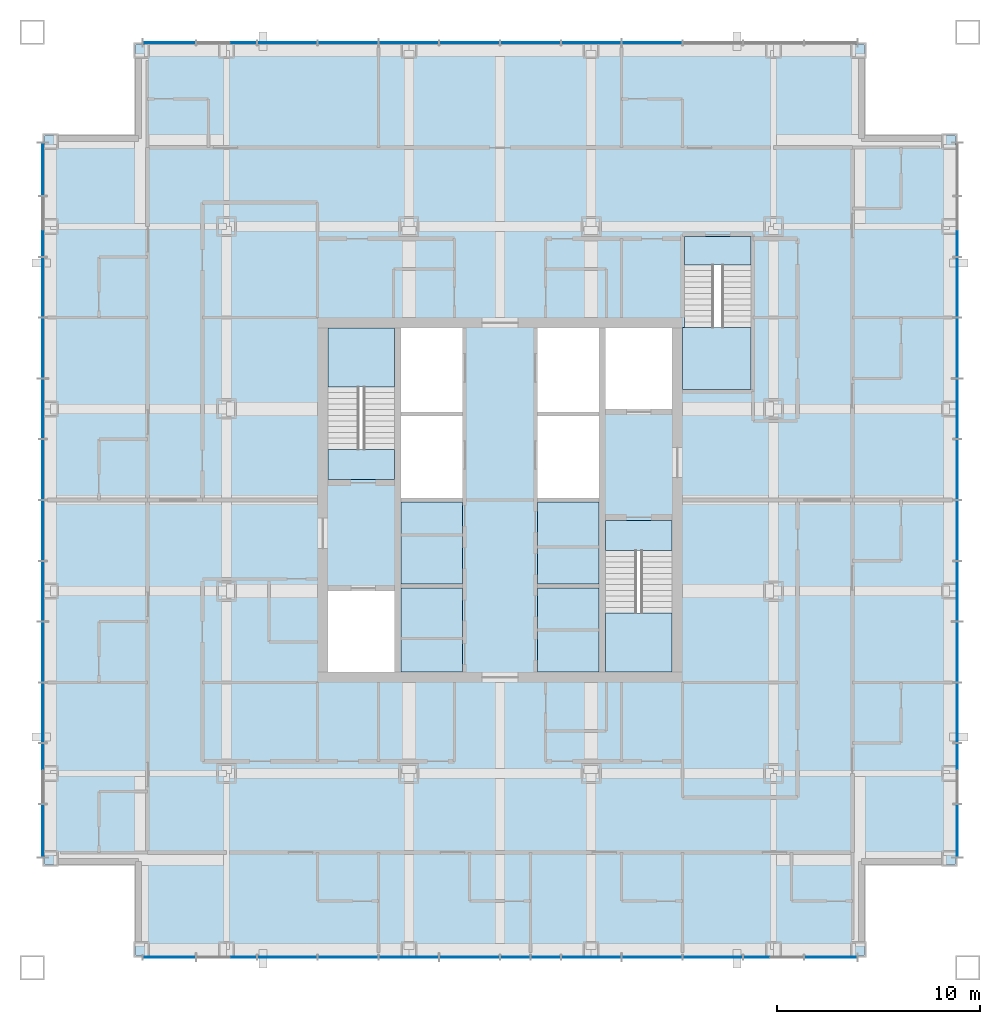
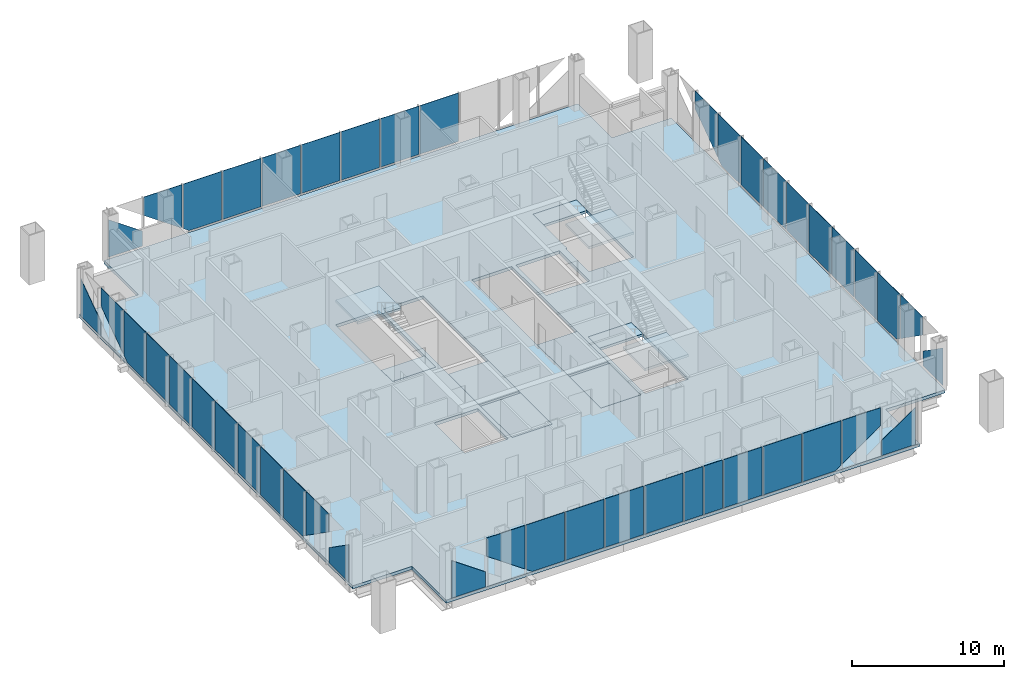
# One storey, part 5 of 11: 45 plates, 11 slabs, 7 elements without a shape of their own.
"""IFC4 building model written with IfcOpenShell, lengths in metres."""

from ifc_helpers import new_model, si_unit, direction, frame, origin, origin_2d, place, context, subcontext, project, spatial, polyline, rectangle, outline, extrude, material, layer, layer_set, type_object, element, aggregate, save


model = new_model("IFC4")

# Units and contexts
model_context = context("Model", 3, precision=1e-05, world=origin(), true_north=direction((0.0, 1.0)))
body_context = subcontext(model_context, "Body", "Model", "MODEL_VIEW")
ifc_project = project(units=[si_unit("LENGTHUNIT", "METRE"), si_unit("AREAUNIT", "SQUARE_METRE"), si_unit("VOLUMEUNIT", "CUBIC_METRE"), si_unit("PLANEANGLEUNIT", "RADIAN"), si_unit("MASSUNIT", "GRAM", prefix="KILO")], contexts=[model_context])

# Site, building, storey
site_placement = place(None, origin())
site = spatial("IfcSite", under=ifc_project, at=site_placement, CompositionType="ELEMENT")
building_placement = place(site_placement, origin())
building = spatial("IfcBuilding", under=site, at=building_placement, Name="Malebo Sky Hospital", CompositionType="ELEMENT")
storey_placement = place(building_placement, frame((0.0, 0.0, 201.0)))
storey = spatial("IfcBuildingStorey", under=building, at=storey_placement, Name="L48", CompositionType="ELEMENT", Elevation=201.0)

# Slabs
ifc_material_1 = material(Name="Concrete C40/50", Category="concrete")
ifc_layer_1 = layer(ifc_material_1, 0.25)
ifc_layer_set_1 = layer_set([ifc_layer_1], Name="COMPOSITE FLOOR SLAB 250")
slab_type_1 = type_object("IfcSlabType", Name="COMPOSITE FLOOR SLAB 250", PredefinedType="FLOOR", material=ifc_layer_set_1)
slab_1_placement = place(storey_placement, frame((0.0, 0.0, -0.25)))
element("IfcSlab", 1, at=slab_1_placement, inside=storey, type_object=slab_type_1, Name="Floor slab L48", PredefinedType="FLOOR", context=body_context, shape_type="SweptSolid", body=[
    extrude(outline(polyline([(42.0, 84.5), (42.0, 80.0), (37.5, 80.0), (37.5, 44.0), (42.0, 44.0), (42.0, 39.5), (78.0, 39.5), (78.0, 44.0), (82.5, 44.0), (82.5, 80.0), (78.0, 80.0), (78.0, 84.5), (42.0, 84.5)]), holes=[polyline([(55.10009765625, 70.5), (58.14990234375, 70.5), (58.14990234375, 53.5), (55.10009765625, 53.5), (55.10009765625, 70.5)]), polyline([(64.89990234375, 70.5), (64.89990234375, 53.5), (61.85009765625, 53.5), (61.85009765625, 70.5), (64.89990234375, 70.5)]), polyline([(54.800048828125, 63.0), (51.5, 63.0), (51.5, 70.5), (54.800048828125, 70.5), (54.800048828125, 63.0)]), polyline([(51.5, 53.5), (51.5, 57.5), (54.800048828125, 57.5), (54.800048828125, 53.5), (51.5, 53.5)]), polyline([(65.199951171875, 61.0), (68.5, 61.0), (68.5, 53.5), (65.199951171875, 53.5), (65.199951171875, 61.0)]), polyline([(68.5, 70.5), (68.5, 66.5), (65.199951171875, 66.5), (65.199951171875, 70.5), (68.5, 70.5)]), polyline([(69.0, 67.449951171875), (69.0, 70.52001953125), (69.10009765625, 70.52001953125), (69.10009765625, 75.0), (72.39990234375, 75.0), (72.39990234375, 67.449951171875), (69.10009765625, 67.449951171875), (69.0, 67.449951171875)])]), origin(), (0.0, 0.0, 1.0), 0.25),
])
ifc_layer_2 = layer(ifc_material_1, 0.25)
ifc_layer_set_2 = layer_set([ifc_layer_2], Name="SHAFT INFILL SLAB 250")
slab_type_2 = type_object("IfcSlabType", Name="SHAFT INFILL SLAB 250", PredefinedType="FLOOR", material=ifc_layer_set_2)
slab_2_placement = place(storey_placement, frame((0.0, 0.0, -0.25)))
element("IfcSlab", 2, at=slab_2_placement, inside=storey, type_object=slab_type_2, Name="Shaft infill slab W1 L48", PredefinedType="FLOOR", context=body_context, shape_type="SweptSolid", body=[
    extrude(outline(polyline([(55.10009765625, 53.5), (58.14990234375, 53.5), (58.14990234375, 57.64990234375), (55.10009765625, 57.64990234375), (55.10009765625, 53.5)])), origin(), (0.0, 0.0, 1.0), 0.25),
])
slab_3_placement = place(storey_placement, frame((0.0, 0.0, -0.25)))
element("IfcSlab", 3, at=slab_3_placement, inside=storey, type_object=slab_type_2, Name="Shaft infill slab W2 L48", PredefinedType="FLOOR", context=body_context, shape_type="SweptSolid", body=[
    extrude(outline(polyline([(55.10009765625, 57.85009765625), (58.14990234375, 57.85009765625), (58.14990234375, 61.89990234375), (55.10009765625, 61.89990234375), (55.10009765625, 57.85009765625)])), origin(), (0.0, 0.0, 1.0), 0.25),
])
slab_4_placement = place(storey_placement, frame((0.0, 0.0, -0.25)))
element("IfcSlab", 4, at=slab_4_placement, inside=storey, type_object=slab_type_2, Name="Shaft infill slab E1 L48", PredefinedType="FLOOR", context=body_context, shape_type="SweptSolid", body=[
    extrude(outline(polyline([(61.85009765625, 53.5), (64.89990234375, 53.5), (64.89990234375, 57.64990234375), (61.85009765625, 57.64990234375), (61.85009765625, 53.5)])), origin(), (0.0, 0.0, 1.0), 0.25),
])
slab_5_placement = place(storey_placement, frame((0.0, 0.0, -0.25)))
element("IfcSlab", 5, at=slab_5_placement, inside=storey, type_object=slab_type_2, Name="Shaft infill slab E2 L48", PredefinedType="FLOOR", context=body_context, shape_type="SweptSolid", body=[
    extrude(outline(polyline([(61.85009765625, 57.85009765625), (64.89990234375, 57.85009765625), (64.89990234375, 61.89990234375), (61.85009765625, 61.89990234375), (61.85009765625, 57.85009765625)])), origin(), (0.0, 0.0, 1.0), 0.25),
])

# Stair, slabs
stair_type_1 = type_object("IfcStairType", Name="HALF-TURN STAIR 1500 R167", PredefinedType="HALF_TURN_STAIR", material=ifc_material_1)
stair_1_placement = place(storey_placement, origin())
stair_1 = element("IfcStair", 6, at=stair_1_placement, inside=storey, type_object=stair_type_1, Name="Stair S1 L48 type ST1", PredefinedType="HALF_TURN_STAIR")
ifc_layer_3 = layer(ifc_material_1, 0.199951171875)
ifc_layer_set_3 = layer_set([ifc_layer_3], Name="STAIR LANDING 200")
slab_type_3 = type_object("IfcSlabType", Name="STAIR LANDING 200", PredefinedType="LANDING", material=ifc_layer_set_3)
slab_6_placement = place(storey_placement, frame((0.0, 0.0, -0.199951171875)))
slab_6 = element("IfcSlab", 7, at=slab_6_placement, type_object=slab_type_3, Name="S1 landing 1", PredefinedType="LANDING", context=body_context, shape_type="SweptSolid", body=[
    extrude(outline(polyline([(51.5, 63.0), (54.800048828125, 63.0), (54.800048828125, 64.5), (51.5, 64.5), (51.5, 63.0)])), origin(), (0.0, 0.0, 1.0), 0.199951171875),
])
slab_7_placement = place(storey_placement, frame((0.0, 0.0, 1.800048828125)))
slab_7 = element("IfcSlab", 8, at=slab_7_placement, type_object=slab_type_3, Name="S1 landing 2", PredefinedType="LANDING", context=body_context, shape_type="SweptSolid", body=[
    extrude(outline(polyline([(51.5, 67.580078125), (54.800048828125, 67.580078125), (54.800048828125, 70.5), (51.5, 70.5), (51.5, 67.580078125)])), origin(), (0.0, 0.0, 1.0), 0.199951171875),
])
aggregate(stair_1, [slab_6, slab_7])

stair_2_placement = place(storey_placement, origin())
stair_2 = element("IfcStair", 9, at=stair_2_placement, inside=storey, type_object=stair_type_1, Name="Stair S2 L48 type ST1", PredefinedType="HALF_TURN_STAIR")
slab_8_placement = place(storey_placement, frame((0.0, 0.0, -0.199951171875)))
slab_8 = element("IfcSlab", 10, at=slab_8_placement, type_object=slab_type_3, Name="S2 landing 1", PredefinedType="LANDING", context=body_context, shape_type="SweptSolid", body=[
    extrude(outline(polyline([(65.199951171875, 59.5), (68.5, 59.5), (68.5, 61.0), (65.199951171875, 61.0), (65.199951171875, 59.5)])), origin(), (0.0, 0.0, 1.0), 0.199951171875),
])
slab_9_placement = place(storey_placement, frame((0.0, 0.0, 1.800048828125)))
slab_9 = element("IfcSlab", 11, at=slab_9_placement, type_object=slab_type_3, Name="S2 landing 2", PredefinedType="LANDING", context=body_context, shape_type="SweptSolid", body=[
    extrude(outline(polyline([(65.199951171875, 53.5), (68.5, 53.5), (68.5, 56.419921875), (65.199951171875, 56.419921875), (65.199951171875, 53.5)])), origin(), (0.0, 0.0, 1.0), 0.199951171875),
])
aggregate(stair_2, [slab_8, slab_9])

stair_type_2 = type_object("IfcStairType", Name="HALF-TURN STAIR 1400 R167", PredefinedType="HALF_TURN_STAIR", material=ifc_material_1)
stair_3_placement = place(storey_placement, origin())
stair_3 = element("IfcStair", 12, at=stair_3_placement, inside=storey, type_object=stair_type_2, Name="Stair S3 L48 type ST1B", PredefinedType="HALF_TURN_STAIR")
slab_10_placement = place(storey_placement, frame((0.0, 0.0, -0.199951171875)))
slab_10 = element("IfcSlab", 13, at=slab_10_placement, type_object=slab_type_3, Name="S3 landing 1", PredefinedType="LANDING", context=body_context, shape_type="SweptSolid", body=[
    extrude(outline(polyline([(69.10009765625, 73.60009765625), (72.39990234375, 73.60009765625), (72.39990234375, 75.0), (69.10009765625, 75.0), (69.10009765625, 73.60009765625)])), origin(), (0.0, 0.0, 1.0), 0.199951171875),
])
slab_11_placement = place(storey_placement, frame((0.0, 0.0, 1.800048828125)))
slab_11 = element("IfcSlab", 14, at=slab_11_placement, type_object=slab_type_3, Name="S3 landing 2", PredefinedType="LANDING", context=body_context, shape_type="SweptSolid", body=[
    extrude(outline(polyline([(69.0, 67.449951171875), (72.39990234375, 67.449951171875), (72.39990234375, 70.52001953125), (69.0, 70.52001953125), (69.0, 67.449951171875)])), origin(), (0.0, 0.0, 1.0), 0.199951171875),
])
aggregate(stair_3, [slab_10, slab_11])

# Curtain wall, plates
ifc_material_2 = material(Name="Anodised aluminium, natural silver", Category="aluminium")
ifc_layer_4 = layer(ifc_material_2, 0.25)
ifc_layer_set_4 = layer_set([ifc_layer_4], Name="WARD CURTAIN WALL NORTH AND SOUTH")
curtain_wall_type_1 = type_object("IfcCurtainWallType", Name="WARD CURTAIN WALL NORTH AND SOUTH", PredefinedType="NOTDEFINED", material=ifc_layer_set_4)
curtain_wall_1_placement = place(storey_placement, origin())
curtain_wall_1 = element("IfcCurtainWall", 15, at=curtain_wall_1_placement, inside=storey, type_object=curtain_wall_type_1, Name="NS curtain wall N", PredefinedType="NOTDEFINED")
ifc_material_3 = material(Name="Clear low-iron double glazing", Category="glass")
ifc_layer_5 = layer(ifc_material_3, 0.031982421875)
ifc_layer_set_5 = layer_set([ifc_layer_5], Name="VISION PANEL CLEAR 32")
plate_type = type_object("IfcPlateType", Name="VISION PANEL CLEAR 32", PredefinedType="CURTAIN_PANEL", material=ifc_layer_set_5)
plate_1_placement = place(storey_placement, frame((43.668701171875, 84.574951171875, 0.10009765625), z_axis=(0.0, 0.0, 1.0), x_axis=(1.0, 0.0, 0.0)))
plate_1 = element("IfcPlate", 16, at=plate_1_placement, type_object=plate_type, Name="Panel 1", PredefinedType="CURTAIN_PANEL", context=body_context, shape_type="SweptSolid", body=[
    extrude(outline(polyline([(-1.293701171875, 0.0), (1.293701171875, 0.0), (1.293701171875, 1.19482421875), (-1.293701171875, 3.01220703125), (-1.293701171875, 0.0)])), frame((0.0, 0.01611328125, 0.0), z_axis=(0.0, -1.0, 0.0), x_axis=(1.0, 0.0, 0.0)), (0.0, 0.0, 1.0), 0.031982421875),
])
plate_2_placement = place(storey_placement, frame((46.5, 84.574951171875, 0.47216796875), z_axis=(0.0, 0.0, 1.0), x_axis=(1.0, 0.0, 0.0)))
plate_2 = element("IfcPlate", 17, at=plate_2_placement, type_object=plate_type, Name="Panel 2", PredefinedType="CURTAIN_PANEL", context=body_context, shape_type="SweptSolid", body=[
    extrude(outline(polyline([(1.46240234375, 0.0), (1.46240234375, 3.517822265625), (-1.46240234375, 3.517822265625), (-1.46240234375, 2.054443359375), (1.46240234375, 0.0)])), frame((0.0, 0.01611328125, 0.0), z_axis=(0.0, -1.0, 0.0), x_axis=(1.0, 0.0, 0.0)), (0.0, 0.0, 1.0), 0.031982421875),
])
plate_3_placement = place(storey_placement, frame((49.5, 84.574951171875, 0.10009765625), z_axis=(0.0, 0.0, 1.0), x_axis=(1.0, 0.0, 0.0)))
plate_3 = element("IfcPlate", 18, at=plate_3_placement, type_object=plate_type, Name="Panel 3", PredefinedType="CURTAIN_PANEL", context=body_context, shape_type="SweptSolid", body=[
    extrude(outline(polyline([(-1.0078125, 0.0), (1.46240234375, 0.0), (1.46240234375, 3.889892578125), (-1.46240234375, 3.889892578125), (-1.46240234375, 0.3193359375), (-1.0078125, 0.0)])), frame((0.0, 0.01611328125, 0.0), z_axis=(0.0, -1.0, 0.0), x_axis=(1.0, 0.0, 0.0)), (0.0, 0.0, 1.0), 0.031982421875),
])
plate_4_placement = place(storey_placement, frame((52.5, 84.574951171875, 0.10009765625), z_axis=(0.0, 0.0, 1.0), x_axis=(1.0, 0.0, 0.0)))
plate_4 = element("IfcPlate", 19, at=plate_4_placement, type_object=plate_type, Name="Panel 4", PredefinedType="CURTAIN_PANEL", context=body_context, shape_type="SweptSolid", body=[
    extrude(rectangle(XDim=2.925048828125, YDim=0.031982421875, at=origin_2d()), origin(), (0.0, 0.0, 1.0), 3.889892578125),
])
plate_5_placement = place(storey_placement, frame((55.5, 84.574951171875, 0.10009765625), z_axis=(0.0, 0.0, 1.0), x_axis=(1.0, 0.0, 0.0)))
plate_5 = element("IfcPlate", 20, at=plate_5_placement, type_object=plate_type, Name="Panel 5", PredefinedType="CURTAIN_PANEL", context=body_context, shape_type="SweptSolid", body=[
    extrude(rectangle(XDim=2.925048828125, YDim=0.031982421875, at=origin_2d()), origin(), (0.0, 0.0, 1.0), 3.889892578125),
])
plate_6_placement = place(storey_placement, frame((58.5, 84.574951171875, 0.10009765625), z_axis=(0.0, 0.0, 1.0), x_axis=(1.0, 0.0, 0.0)))
plate_6 = element("IfcPlate", 21, at=plate_6_placement, type_object=plate_type, Name="Panel 6", PredefinedType="CURTAIN_PANEL", context=body_context, shape_type="SweptSolid", body=[
    extrude(rectangle(XDim=2.925048828125, YDim=0.031982421875, at=origin_2d()), origin(), (0.0, 0.0, 1.0), 3.889892578125),
])
plate_7_placement = place(storey_placement, frame((61.5, 84.574951171875, 0.10009765625), z_axis=(0.0, 0.0, 1.0), x_axis=(1.0, 0.0, 0.0)))
plate_7 = element("IfcPlate", 22, at=plate_7_placement, type_object=plate_type, Name="Panel 7", PredefinedType="CURTAIN_PANEL", context=body_context, shape_type="SweptSolid", body=[
    extrude(rectangle(XDim=2.925048828125, YDim=0.031982421875, at=origin_2d()), origin(), (0.0, 0.0, 1.0), 3.889892578125),
])
plate_8_placement = place(storey_placement, frame((64.5, 84.574951171875, 0.10009765625), z_axis=(0.0, 0.0, 1.0), x_axis=(1.0, 0.0, 0.0)))
plate_8 = element("IfcPlate", 23, at=plate_8_placement, type_object=plate_type, Name="Panel 8", PredefinedType="CURTAIN_PANEL", context=body_context, shape_type="SweptSolid", body=[
    extrude(rectangle(XDim=2.925048828125, YDim=0.031982421875, at=origin_2d()), origin(), (0.0, 0.0, 1.0), 3.889892578125),
])
plate_9_placement = place(storey_placement, frame((67.5, 84.574951171875, 0.10009765625), z_axis=(0.0, 0.0, 1.0), x_axis=(1.0, 0.0, 0.0)))
plate_9 = element("IfcPlate", 24, at=plate_9_placement, type_object=plate_type, Name="Panel 9", PredefinedType="CURTAIN_PANEL", context=body_context, shape_type="SweptSolid", body=[
    extrude(rectangle(XDim=2.925048828125, YDim=0.031982421875, at=origin_2d()), origin(), (0.0, 0.0, 1.0), 3.889892578125),
])
aggregate(curtain_wall_1, [plate_1, plate_2, plate_3, plate_4, plate_5, plate_6, plate_7, plate_8, plate_9])

ifc_layer_6 = layer(ifc_material_2, 0.25)
ifc_layer_set_6 = layer_set([ifc_layer_6], Name="WARD CURTAIN WALL EAST AND WEST")
curtain_wall_type_2 = type_object("IfcCurtainWallType", Name="WARD CURTAIN WALL EAST AND WEST", PredefinedType="NOTDEFINED", material=ifc_layer_set_6)
curtain_wall_2_placement = place(storey_placement, origin())
curtain_wall_2 = element("IfcCurtainWall", 25, at=curtain_wall_2_placement, inside=storey, type_object=curtain_wall_type_2, Name="EW curtain wall W", PredefinedType="NOTDEFINED")
plate_10_placement = place(storey_placement, frame((37.425048828125, 45.668701171875, 0.10009765625), z_axis=(0.0, 0.0, 1.0), x_axis=(0.0, 1.0, 0.0)))
plate_10 = element("IfcPlate", 26, at=plate_10_placement, type_object=plate_type, Name="Panel 1", PredefinedType="CURTAIN_PANEL", context=body_context, shape_type="SweptSolid", body=[
    extrude(outline(polyline([(-1.293701171875, 0.0), (1.293701171875, 0.0), (1.293701171875, 1.19482421875), (-1.293701171875, 3.01220703125), (-1.293701171875, 0.0)])), frame((0.0, 0.01611328125, 0.0), z_axis=(0.0, -1.0, 0.0), x_axis=(1.0, 0.0, 0.0)), (0.0, 0.0, 1.0), 0.031982421875),
])
plate_11_placement = place(storey_placement, frame((37.425048828125, 48.5, 0.47216796875), z_axis=(0.0, 0.0, 1.0), x_axis=(0.0, 1.0, 0.0)))
plate_11 = element("IfcPlate", 27, at=plate_11_placement, type_object=plate_type, Name="Panel 2", PredefinedType="CURTAIN_PANEL", context=body_context, shape_type="SweptSolid", body=[
    extrude(outline(polyline([(1.46240234375, 0.0), (1.46240234375, 3.517822265625), (-1.46240234375, 3.517822265625), (-1.46240234375, 2.054443359375), (1.46240234375, 0.0)])), frame((0.0, 0.01611328125, 0.0), z_axis=(0.0, -1.0, 0.0), x_axis=(1.0, 0.0, 0.0)), (0.0, 0.0, 1.0), 0.031982421875),
])
plate_12_placement = place(storey_placement, frame((37.425048828125, 51.5, 0.10009765625), z_axis=(0.0, 0.0, 1.0), x_axis=(0.0, 1.0, 0.0)))
plate_12 = element("IfcPlate", 28, at=plate_12_placement, type_object=plate_type, Name="Panel 3", PredefinedType="CURTAIN_PANEL", context=body_context, shape_type="SweptSolid", body=[
    extrude(outline(polyline([(-1.0078125, 0.0), (1.46240234375, 0.0), (1.46240234375, 3.889892578125), (-1.46240234375, 3.889892578125), (-1.46240234375, 0.3193359375), (-1.0078125, 0.0)])), frame((0.0, 0.01611328125, 0.0), z_axis=(0.0, -1.0, 0.0), x_axis=(1.0, 0.0, 0.0)), (0.0, 0.0, 1.0), 0.031982421875),
])
plate_13_placement = place(storey_placement, frame((37.425048828125, 54.5, 0.10009765625), z_axis=(0.0, 0.0, 1.0), x_axis=(0.0, 1.0, 0.0)))
plate_13 = element("IfcPlate", 29, at=plate_13_placement, type_object=plate_type, Name="Panel 4", PredefinedType="CURTAIN_PANEL", context=body_context, shape_type="SweptSolid", body=[
    extrude(rectangle(XDim=2.925048828125, YDim=0.031982421875, at=origin_2d()), origin(), (0.0, 0.0, 1.0), 3.889892578125),
])
plate_14_placement = place(storey_placement, frame((37.425048828125, 57.5, 0.10009765625), z_axis=(0.0, 0.0, 1.0), x_axis=(0.0, 1.0, 0.0)))
plate_14 = element("IfcPlate", 30, at=plate_14_placement, type_object=plate_type, Name="Panel 5", PredefinedType="CURTAIN_PANEL", context=body_context, shape_type="SweptSolid", body=[
    extrude(rectangle(XDim=2.925048828125, YDim=0.031982421875, at=origin_2d()), origin(), (0.0, 0.0, 1.0), 3.889892578125),
])
plate_15_placement = place(storey_placement, frame((37.425048828125, 60.5, 0.10009765625), z_axis=(0.0, 0.0, 1.0), x_axis=(0.0, 1.0, 0.0)))
plate_15 = element("IfcPlate", 31, at=plate_15_placement, type_object=plate_type, Name="Panel 6", PredefinedType="CURTAIN_PANEL", context=body_context, shape_type="SweptSolid", body=[
    extrude(rectangle(XDim=2.925048828125, YDim=0.031982421875, at=origin_2d()), origin(), (0.0, 0.0, 1.0), 3.889892578125),
])
plate_16_placement = place(storey_placement, frame((37.425048828125, 63.5, 0.10009765625), z_axis=(0.0, 0.0, 1.0), x_axis=(0.0, 1.0, 0.0)))
plate_16 = element("IfcPlate", 32, at=plate_16_placement, type_object=plate_type, Name="Panel 7", PredefinedType="CURTAIN_PANEL", context=body_context, shape_type="SweptSolid", body=[
    extrude(rectangle(XDim=2.925048828125, YDim=0.031982421875, at=origin_2d()), origin(), (0.0, 0.0, 1.0), 3.889892578125),
])
plate_17_placement = place(storey_placement, frame((37.425048828125, 66.5, 0.10009765625), z_axis=(0.0, 0.0, 1.0), x_axis=(0.0, 1.0, 0.0)))
plate_17 = element("IfcPlate", 33, at=plate_17_placement, type_object=plate_type, Name="Panel 8", PredefinedType="CURTAIN_PANEL", context=body_context, shape_type="SweptSolid", body=[
    extrude(rectangle(XDim=2.925048828125, YDim=0.031982421875, at=origin_2d()), origin(), (0.0, 0.0, 1.0), 3.889892578125),
])
plate_18_placement = place(storey_placement, frame((37.425048828125, 69.5, 0.10009765625), z_axis=(0.0, 0.0, 1.0), x_axis=(0.0, 1.0, 0.0)))
plate_18 = element("IfcPlate", 34, at=plate_18_placement, type_object=plate_type, Name="Panel 9", PredefinedType="CURTAIN_PANEL", context=body_context, shape_type="SweptSolid", body=[
    extrude(rectangle(XDim=2.925048828125, YDim=0.031982421875, at=origin_2d()), origin(), (0.0, 0.0, 1.0), 3.889892578125),
])
plate_19_placement = place(storey_placement, frame((37.425048828125, 72.5, 0.10009765625), z_axis=(0.0, 0.0, 1.0), x_axis=(0.0, 1.0, 0.0)))
plate_19 = element("IfcPlate", 35, at=plate_19_placement, type_object=plate_type, Name="Panel 10", PredefinedType="CURTAIN_PANEL", context=body_context, shape_type="SweptSolid", body=[
    extrude(outline(polyline([(-1.46240234375, 0.0), (1.0078125, 0.0), (1.46240234375, 0.3193359375), (1.46240234375, 3.889892578125), (-1.46240234375, 3.889892578125), (-1.46240234375, 0.0)])), frame((0.0, 0.01611328125, 0.0), z_axis=(0.0, -1.0, 0.0), x_axis=(1.0, 0.0, 0.0)), (0.0, 0.0, 1.0), 0.031982421875),
])
plate_20_placement = place(storey_placement, frame((37.425048828125, 75.5, 0.47216796875), z_axis=(0.0, 0.0, 1.0), x_axis=(0.0, 1.0, 0.0)))
plate_20 = element("IfcPlate", 36, at=plate_20_placement, type_object=plate_type, Name="Panel 11", PredefinedType="CURTAIN_PANEL", context=body_context, shape_type="SweptSolid", body=[
    extrude(outline(polyline([(-1.46240234375, 0.0), (1.46240234375, 2.054443359375), (1.46240234375, 3.517822265625), (-1.46240234375, 3.517822265625), (-1.46240234375, 0.0)])), frame((0.0, 0.01611328125, 0.0), z_axis=(0.0, -1.0, 0.0), x_axis=(1.0, 0.0, 0.0)), (0.0, 0.0, 1.0), 0.031982421875),
])
plate_21_placement = place(storey_placement, frame((37.425048828125, 78.331298828125, 0.10009765625), z_axis=(0.0, 0.0, 1.0), x_axis=(0.0, 1.0, 0.0)))
plate_21 = element("IfcPlate", 37, at=plate_21_placement, type_object=plate_type, Name="Panel 12", PredefinedType="CURTAIN_PANEL", context=body_context, shape_type="SweptSolid", body=[
    extrude(outline(polyline([(-1.293701171875, 0.0), (1.293701171875, 0.0), (1.293701171875, 3.01220703125), (-1.293701171875, 1.19482421875), (-1.293701171875, 0.0)])), frame((0.0, 0.01611328125, 0.0), z_axis=(0.0, -1.0, 0.0), x_axis=(1.0, 0.0, 0.0)), (0.0, 0.0, 1.0), 0.031982421875),
])
aggregate(curtain_wall_2, [plate_10, plate_11, plate_12, plate_13, plate_14, plate_15, plate_16, plate_17, plate_18, plate_19, plate_20, plate_21])

curtain_wall_3_placement = place(storey_placement, origin())
curtain_wall_3 = element("IfcCurtainWall", 38, at=curtain_wall_3_placement, inside=storey, type_object=curtain_wall_type_1, Name="NS curtain wall S", PredefinedType="NOTDEFINED")
plate_22_placement = place(storey_placement, frame((76.331298828125, 39.425048828125, 0.10009765625), z_axis=(0.0, 0.0, 1.0), x_axis=(-1.0, 0.0, 0.0)))
plate_22 = element("IfcPlate", 39, at=plate_22_placement, type_object=plate_type, Name="Panel 1", PredefinedType="CURTAIN_PANEL", context=body_context, shape_type="SweptSolid", body=[
    extrude(outline(polyline([(-1.293701171875, 0.0), (1.293701171875, 0.0), (1.293701171875, 1.19482421875), (-1.293701171875, 3.01220703125), (-1.293701171875, 0.0)])), frame((0.0, 0.01611328125, 0.0), z_axis=(0.0, -1.0, 0.0), x_axis=(1.0, 0.0, 0.0)), (0.0, 0.0, 1.0), 0.031982421875),
])
plate_23_placement = place(storey_placement, frame((73.5, 39.425048828125, 0.47216796875), z_axis=(0.0, 0.0, 1.0), x_axis=(-1.0, 0.0, 0.0)))
plate_23 = element("IfcPlate", 40, at=plate_23_placement, type_object=plate_type, Name="Panel 2", PredefinedType="CURTAIN_PANEL", context=body_context, shape_type="SweptSolid", body=[
    extrude(outline(polyline([(1.46240234375, 0.0), (1.46240234375, 3.517822265625), (-1.46240234375, 3.517822265625), (-1.46240234375, 2.054443359375), (1.46240234375, 0.0)])), frame((0.0, 0.01611328125, 0.0), z_axis=(0.0, -1.0, 0.0), x_axis=(1.0, 0.0, 0.0)), (0.0, 0.0, 1.0), 0.031982421875),
])
plate_24_placement = place(storey_placement, frame((70.5, 39.425048828125, 0.10009765625), z_axis=(0.0, 0.0, 1.0), x_axis=(-1.0, 0.0, 0.0)))
plate_24 = element("IfcPlate", 41, at=plate_24_placement, type_object=plate_type, Name="Panel 3", PredefinedType="CURTAIN_PANEL", context=body_context, shape_type="SweptSolid", body=[
    extrude(outline(polyline([(-1.0078125, 0.0), (1.46240234375, 0.0), (1.46240234375, 3.889892578125), (-1.46240234375, 3.889892578125), (-1.46240234375, 0.3193359375), (-1.0078125, 0.0)])), frame((0.0, 0.01611328125, 0.0), z_axis=(0.0, -1.0, 0.0), x_axis=(1.0, 0.0, 0.0)), (0.0, 0.0, 1.0), 0.031982421875),
])
plate_25_placement = place(storey_placement, frame((67.5, 39.425048828125, 0.10009765625), z_axis=(0.0, 0.0, 1.0), x_axis=(-1.0, 0.0, 0.0)))
plate_25 = element("IfcPlate", 42, at=plate_25_placement, type_object=plate_type, Name="Panel 4", PredefinedType="CURTAIN_PANEL", context=body_context, shape_type="SweptSolid", body=[
    extrude(rectangle(XDim=2.925048828125, YDim=0.031982421875, at=origin_2d()), origin(), (0.0, 0.0, 1.0), 3.889892578125),
])
plate_26_placement = place(storey_placement, frame((64.5, 39.425048828125, 0.10009765625), z_axis=(0.0, 0.0, 1.0), x_axis=(-1.0, 0.0, 0.0)))
plate_26 = element("IfcPlate", 43, at=plate_26_placement, type_object=plate_type, Name="Panel 5", PredefinedType="CURTAIN_PANEL", context=body_context, shape_type="SweptSolid", body=[
    extrude(rectangle(XDim=2.925048828125, YDim=0.031982421875, at=origin_2d()), origin(), (0.0, 0.0, 1.0), 3.889892578125),
])
plate_27_placement = place(storey_placement, frame((62.25, 39.425048828125, 0.10009765625), z_axis=(0.0, 0.0, 1.0), x_axis=(-1.0, 0.0, 0.0)))
plate_27 = element("IfcPlate", 44, at=plate_27_placement, type_object=plate_type, Name="Panel 6", PredefinedType="CURTAIN_PANEL", context=body_context, shape_type="SweptSolid", body=[
    extrude(rectangle(XDim=1.425048828125, YDim=0.031982421875, at=origin_2d()), origin(), (0.0, 0.0, 1.0), 3.889892578125),
])
plate_28_placement = place(storey_placement, frame((60.75, 39.425048828125, 0.10009765625), z_axis=(0.0, 0.0, 1.0), x_axis=(-1.0, 0.0, 0.0)))
plate_28 = element("IfcPlate", 45, at=plate_28_placement, type_object=plate_type, Name="Panel 7", PredefinedType="CURTAIN_PANEL", context=body_context, shape_type="SweptSolid", body=[
    extrude(rectangle(XDim=1.425048828125, YDim=0.031982421875, at=origin_2d()), origin(), (0.0, 0.0, 1.0), 3.889892578125),
])
plate_29_placement = place(storey_placement, frame((58.5, 39.425048828125, 0.10009765625), z_axis=(0.0, 0.0, 1.0), x_axis=(-1.0, 0.0, 0.0)))
plate_29 = element("IfcPlate", 46, at=plate_29_placement, type_object=plate_type, Name="Panel 8", PredefinedType="CURTAIN_PANEL", context=body_context, shape_type="SweptSolid", body=[
    extrude(rectangle(XDim=2.925048828125, YDim=0.031982421875, at=origin_2d()), origin(), (0.0, 0.0, 1.0), 3.889892578125),
])
plate_30_placement = place(storey_placement, frame((55.5, 39.425048828125, 0.10009765625), z_axis=(0.0, 0.0, 1.0), x_axis=(-1.0, 0.0, 0.0)))
plate_30 = element("IfcPlate", 47, at=plate_30_placement, type_object=plate_type, Name="Panel 9", PredefinedType="CURTAIN_PANEL", context=body_context, shape_type="SweptSolid", body=[
    extrude(rectangle(XDim=2.925048828125, YDim=0.031982421875, at=origin_2d()), origin(), (0.0, 0.0, 1.0), 3.889892578125),
])
plate_31_placement = place(storey_placement, frame((52.5, 39.425048828125, 0.10009765625), z_axis=(0.0, 0.0, 1.0), x_axis=(-1.0, 0.0, 0.0)))
plate_31 = element("IfcPlate", 48, at=plate_31_placement, type_object=plate_type, Name="Panel 10", PredefinedType="CURTAIN_PANEL", context=body_context, shape_type="SweptSolid", body=[
    extrude(rectangle(XDim=2.925048828125, YDim=0.031982421875, at=origin_2d()), origin(), (0.0, 0.0, 1.0), 3.889892578125),
])
plate_32_placement = place(storey_placement, frame((49.5, 39.425048828125, 0.10009765625), z_axis=(0.0, 0.0, 1.0), x_axis=(-1.0, 0.0, 0.0)))
plate_32 = element("IfcPlate", 49, at=plate_32_placement, type_object=plate_type, Name="Panel 11", PredefinedType="CURTAIN_PANEL", context=body_context, shape_type="SweptSolid", body=[
    extrude(outline(polyline([(-1.46240234375, 0.0), (1.0078125, 0.0), (1.46240234375, 0.3193359375), (1.46240234375, 3.889892578125), (-1.46240234375, 3.889892578125), (-1.46240234375, 0.0)])), frame((0.0, 0.01611328125, 0.0), z_axis=(0.0, -1.0, 0.0), x_axis=(1.0, 0.0, 0.0)), (0.0, 0.0, 1.0), 0.031982421875),
])
plate_33_placement = place(storey_placement, frame((46.5, 39.425048828125, 0.47216796875), z_axis=(0.0, 0.0, 1.0), x_axis=(-1.0, 0.0, 0.0)))
plate_33 = element("IfcPlate", 50, at=plate_33_placement, type_object=plate_type, Name="Panel 12", PredefinedType="CURTAIN_PANEL", context=body_context, shape_type="SweptSolid", body=[
    extrude(outline(polyline([(-1.46240234375, 0.0), (1.46240234375, 2.054443359375), (1.46240234375, 3.517822265625), (-1.46240234375, 3.517822265625), (-1.46240234375, 0.0)])), frame((0.0, 0.01611328125, 0.0), z_axis=(0.0, -1.0, 0.0), x_axis=(1.0, 0.0, 0.0)), (0.0, 0.0, 1.0), 0.031982421875),
])
plate_34_placement = place(storey_placement, frame((43.668701171875, 39.425048828125, 0.10009765625), z_axis=(0.0, 0.0, 1.0), x_axis=(-1.0, 0.0, 0.0)))
plate_34 = element("IfcPlate", 51, at=plate_34_placement, type_object=plate_type, Name="Panel 13", PredefinedType="CURTAIN_PANEL", context=body_context, shape_type="SweptSolid", body=[
    extrude(outline(polyline([(-1.293701171875, 0.0), (1.293701171875, 0.0), (1.293701171875, 3.01220703125), (-1.293701171875, 1.19482421875), (-1.293701171875, 0.0)])), frame((0.0, 0.01611328125, 0.0), z_axis=(0.0, -1.0, 0.0), x_axis=(1.0, 0.0, 0.0)), (0.0, 0.0, 1.0), 0.031982421875),
])
aggregate(curtain_wall_3, [plate_22, plate_23, plate_24, plate_25, plate_26, plate_27, plate_28, plate_29, plate_30, plate_31, plate_32, plate_33, plate_34])

curtain_wall_4_placement = place(storey_placement, origin())
curtain_wall_4 = element("IfcCurtainWall", 52, at=curtain_wall_4_placement, inside=storey, type_object=curtain_wall_type_2, Name="EW curtain wall E", PredefinedType="NOTDEFINED")
plate_35_placement = place(storey_placement, frame((82.574951171875, 75.5, 0.47216796875), z_axis=(0.0, 0.0, 1.0), x_axis=(0.0, -1.0, 0.0)))
plate_35 = element("IfcPlate", 53, at=plate_35_placement, type_object=plate_type, Name="Panel 2", PredefinedType="CURTAIN_PANEL", context=body_context, shape_type="SweptSolid", body=[
    extrude(outline(polyline([(1.46240234375, 0.0), (1.46240234375, 3.517822265625), (-1.46240234375, 3.517822265625), (-1.46240234375, 2.054443359375), (1.46240234375, 0.0)])), frame((0.0, 0.01611328125, 0.0), z_axis=(0.0, -1.0, 0.0), x_axis=(1.0, 0.0, 0.0)), (0.0, 0.0, 1.0), 0.031982421875),
])
plate_36_placement = place(storey_placement, frame((82.574951171875, 72.5, 0.10009765625), z_axis=(0.0, 0.0, 1.0), x_axis=(0.0, -1.0, 0.0)))
plate_36 = element("IfcPlate", 54, at=plate_36_placement, type_object=plate_type, Name="Panel 3", PredefinedType="CURTAIN_PANEL", context=body_context, shape_type="SweptSolid", body=[
    extrude(outline(polyline([(-1.0078125, 0.0), (1.46240234375, 0.0), (1.46240234375, 3.889892578125), (-1.46240234375, 3.889892578125), (-1.46240234375, 0.3193359375), (-1.0078125, 0.0)])), frame((0.0, 0.01611328125, 0.0), z_axis=(0.0, -1.0, 0.0), x_axis=(1.0, 0.0, 0.0)), (0.0, 0.0, 1.0), 0.031982421875),
])
plate_37_placement = place(storey_placement, frame((82.574951171875, 69.5, 0.10009765625), z_axis=(0.0, 0.0, 1.0), x_axis=(0.0, -1.0, 0.0)))
plate_37 = element("IfcPlate", 55, at=plate_37_placement, type_object=plate_type, Name="Panel 4", PredefinedType="CURTAIN_PANEL", context=body_context, shape_type="SweptSolid", body=[
    extrude(rectangle(XDim=2.925048828125, YDim=0.031982421875, at=origin_2d()), origin(), (0.0, 0.0, 1.0), 3.889892578125),
])
plate_38_placement = place(storey_placement, frame((82.574951171875, 66.5, 0.10009765625), z_axis=(0.0, 0.0, 1.0), x_axis=(0.0, -1.0, 0.0)))
plate_38 = element("IfcPlate", 56, at=plate_38_placement, type_object=plate_type, Name="Panel 5", PredefinedType="CURTAIN_PANEL", context=body_context, shape_type="SweptSolid", body=[
    extrude(rectangle(XDim=2.925048828125, YDim=0.031982421875, at=origin_2d()), origin(), (0.0, 0.0, 1.0), 3.889892578125),
])
plate_39_placement = place(storey_placement, frame((82.574951171875, 63.5, 0.10009765625), z_axis=(0.0, 0.0, 1.0), x_axis=(0.0, -1.0, 0.0)))
plate_39 = element("IfcPlate", 57, at=plate_39_placement, type_object=plate_type, Name="Panel 6", PredefinedType="CURTAIN_PANEL", context=body_context, shape_type="SweptSolid", body=[
    extrude(rectangle(XDim=2.925048828125, YDim=0.031982421875, at=origin_2d()), origin(), (0.0, 0.0, 1.0), 3.889892578125),
])
plate_40_placement = place(storey_placement, frame((82.574951171875, 60.5, 0.10009765625), z_axis=(0.0, 0.0, 1.0), x_axis=(0.0, -1.0, 0.0)))
plate_40 = element("IfcPlate", 58, at=plate_40_placement, type_object=plate_type, Name="Panel 7", PredefinedType="CURTAIN_PANEL", context=body_context, shape_type="SweptSolid", body=[
    extrude(rectangle(XDim=2.925048828125, YDim=0.031982421875, at=origin_2d()), origin(), (0.0, 0.0, 1.0), 3.889892578125),
])
plate_41_placement = place(storey_placement, frame((82.574951171875, 57.5, 0.10009765625), z_axis=(0.0, 0.0, 1.0), x_axis=(0.0, -1.0, 0.0)))
plate_41 = element("IfcPlate", 59, at=plate_41_placement, type_object=plate_type, Name="Panel 8", PredefinedType="CURTAIN_PANEL", context=body_context, shape_type="SweptSolid", body=[
    extrude(rectangle(XDim=2.925048828125, YDim=0.031982421875, at=origin_2d()), origin(), (0.0, 0.0, 1.0), 3.889892578125),
])
plate_42_placement = place(storey_placement, frame((82.574951171875, 54.5, 0.10009765625), z_axis=(0.0, 0.0, 1.0), x_axis=(0.0, -1.0, 0.0)))
plate_42 = element("IfcPlate", 60, at=plate_42_placement, type_object=plate_type, Name="Panel 9", PredefinedType="CURTAIN_PANEL", context=body_context, shape_type="SweptSolid", body=[
    extrude(rectangle(XDim=2.925048828125, YDim=0.031982421875, at=origin_2d()), origin(), (0.0, 0.0, 1.0), 3.889892578125),
])
plate_43_placement = place(storey_placement, frame((82.574951171875, 51.5, 0.10009765625), z_axis=(0.0, 0.0, 1.0), x_axis=(0.0, -1.0, 0.0)))
plate_43 = element("IfcPlate", 61, at=plate_43_placement, type_object=plate_type, Name="Panel 10", PredefinedType="CURTAIN_PANEL", context=body_context, shape_type="SweptSolid", body=[
    extrude(outline(polyline([(-1.46240234375, 0.0), (1.0078125, 0.0), (1.46240234375, 0.3193359375), (1.46240234375, 3.889892578125), (-1.46240234375, 3.889892578125), (-1.46240234375, 0.0)])), frame((0.0, 0.01611328125, 0.0), z_axis=(0.0, -1.0, 0.0), x_axis=(1.0, 0.0, 0.0)), (0.0, 0.0, 1.0), 0.031982421875),
])
plate_44_placement = place(storey_placement, frame((82.574951171875, 48.5, 0.47216796875), z_axis=(0.0, 0.0, 1.0), x_axis=(0.0, -1.0, 0.0)))
plate_44 = element("IfcPlate", 62, at=plate_44_placement, type_object=plate_type, Name="Panel 11", PredefinedType="CURTAIN_PANEL", context=body_context, shape_type="SweptSolid", body=[
    extrude(outline(polyline([(-1.46240234375, 0.0), (1.46240234375, 2.054443359375), (1.46240234375, 3.517822265625), (-1.46240234375, 3.517822265625), (-1.46240234375, 0.0)])), frame((0.0, 0.01611328125, 0.0), z_axis=(0.0, -1.0, 0.0), x_axis=(1.0, 0.0, 0.0)), (0.0, 0.0, 1.0), 0.031982421875),
])
plate_45_placement = place(storey_placement, frame((82.574951171875, 45.668701171875, 0.10009765625), z_axis=(0.0, 0.0, 1.0), x_axis=(0.0, -1.0, 0.0)))
plate_45 = element("IfcPlate", 63, at=plate_45_placement, type_object=plate_type, Name="Panel 12", PredefinedType="CURTAIN_PANEL", context=body_context, shape_type="SweptSolid", body=[
    extrude(outline(polyline([(-1.293701171875, 0.0), (1.293701171875, 0.0), (1.293701171875, 3.01220703125), (-1.293701171875, 1.19482421875), (-1.293701171875, 0.0)])), frame((0.0, 0.01611328125, 0.0), z_axis=(0.0, -1.0, 0.0), x_axis=(1.0, 0.0, 0.0)), (0.0, 0.0, 1.0), 0.031982421875),
])
aggregate(curtain_wall_4, [plate_35, plate_36, plate_37, plate_38, plate_39, plate_40, plate_41, plate_42, plate_43, plate_44, plate_45])

save(model, "model.ifc")
